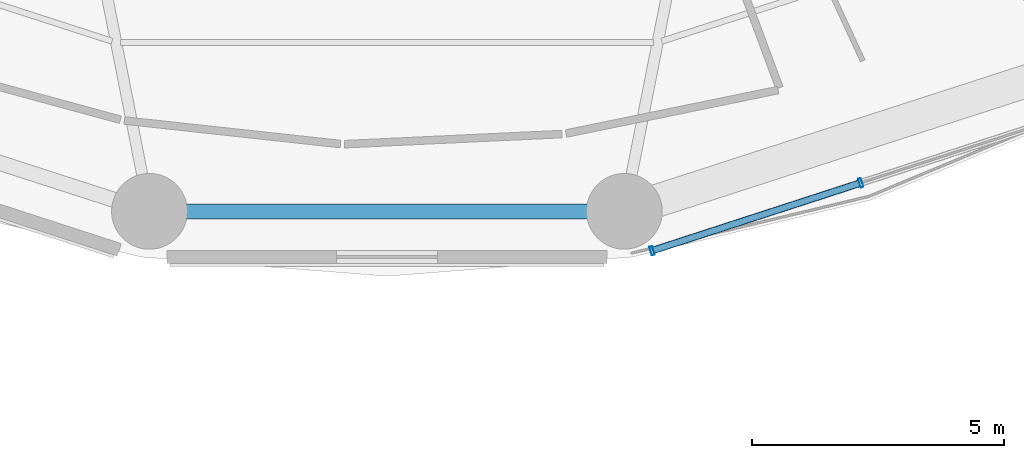
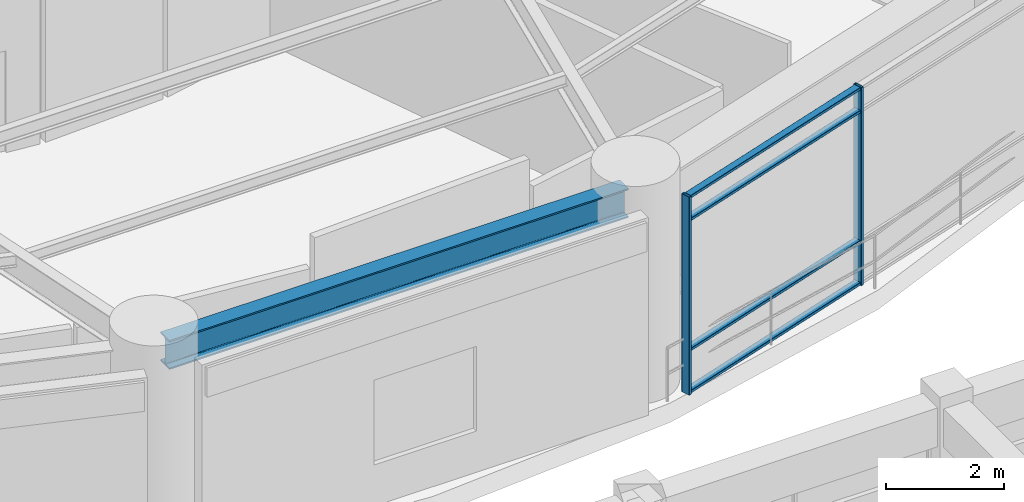
# One storey, part 18 of 52: 6 members, 1 beam, 1 element without a shape of its own.
"""IFC4 building model written with IfcOpenShell, lengths in metres."""

from ifc_helpers import new_model, si_unit, direction, frame, origin, origin_2d, place, context, subcontext, project, spatial, hollow_rectangle, i_section, extrude, material, layer, layer_set, material_profile, profile_set, type_object, element, aggregate, save


model = new_model("IFC4")

# Units and contexts
model_context = context("Model", 3, precision=1e-05, world=origin(), true_north=direction((0.0, 1.0)))
body_context = subcontext(model_context, "Body", "Model", "MODEL_VIEW")
ifc_project = project(units=[si_unit("LENGTHUNIT", "METRE"), si_unit("AREAUNIT", "SQUARE_METRE"), si_unit("VOLUMEUNIT", "CUBIC_METRE"), si_unit("PLANEANGLEUNIT", "RADIAN"), si_unit("MASSUNIT", "GRAM", prefix="KILO")], contexts=[model_context])

# Site, building, storey
site_placement = place(None, origin())
site = spatial("IfcSite", under=ifc_project, at=site_placement, CompositionType="ELEMENT")
building_placement = place(site_placement, origin())
building = spatial("IfcBuilding", under=site, at=building_placement, Name="Kelanora Arch Commons", CompositionType="ELEMENT")
storey_placement = place(building_placement, frame((0.0, 0.0, 13.5)))
storey = spatial("IfcBuildingStorey", under=building, at=storey_placement, Name="L03", CompositionType="ELEMENT", Elevation=13.5)

# Beam
ifc_material_1 = material(Name="Steel S355", Category="steel")
ifc_material_profile_1 = material_profile(ifc_material_1, i_section(OverallWidth=0.300048828125, OverallDepth=0.60009765625, WebThickness=0.015380859375, FlangeThickness=0.030029296875, FilletRadius=0.027099609375, at=origin_2d()), Name="HEB600")
ifc_profile_set_1 = profile_set([ifc_material_profile_1], Name="Steel S355")
beam_type = type_object("IfcBeamType", Name="BM-SPN-Z1", PredefinedType="SPANDREL", material=ifc_profile_set_1)
beam_placement = place(storey_placement, frame((69.517578125, 34.285888671875, 3.800048828125), z_axis=(1.0, 0.0, 0.0), x_axis=(0.0, 1.0, 0.0)))
element("IfcBeam", 1, at=beam_placement, inside=storey, type_object=beam_type, Name="Perimeter Spandrel Beam BS-26 L03", PredefinedType="SPANDREL", context=body_context, shape_type="SweptSolid", body=[
    extrude(i_section(OverallWidth=0.300048828125, OverallDepth=0.60009765625, WebThickness=0.015380859375, FlangeThickness=0.030029296875, FilletRadius=0.027099609375, at=origin_2d()), origin(), (0.0, 0.0, 1.0), 8.96484375),
])

# Curtain wall, members
ifc_material_2 = material(Name="Terracotta ceramic-fritted low-E glass and aluminium", Category="masonry")
ifc_layer = layer(ifc_material_2, 0.2099609375)
ifc_layer_set = layer_set([ifc_layer], Name="Terracotta ceramic-fritted low-E glass and aluminium")
curtain_wall_type = type_object("IfcCurtainWallType", Name="CW-SYS-04", PredefinedType="NOTDEFINED", material=ifc_layer_set)
curtain_wall_placement = place(storey_placement, origin())
curtain_wall = element("IfcCurtainWall", 2, at=curtain_wall_placement, inside=storey, type_object=curtain_wall_type, Name="Unitised Curtain Wall L03-B14", PredefinedType="NOTDEFINED")
ifc_material_3 = material(Name="Powder-coated aluminium terracotta", Category="masonry")
ifc_material_profile_2 = material_profile(ifc_material_3, hollow_rectangle(XDim=0.179931640625, YDim=0.06005859375, WallThickness=0.0048828125, InnerFilletRadius=0.0048828125, OuterFilletRadius=0.010009765625, at=origin_2d()), Name="CWM180x60")
ifc_profile_set_2 = profile_set([ifc_material_profile_2], Name="Powder-coated aluminium terracotta")
member_type_1 = type_object("IfcMemberType", Name="CWM-HVY", PredefinedType="MULLION", material=ifc_profile_set_2)
member_1_placement = place(storey_placement, frame((79.25146484375, 33.50634765625, 0.0), z_axis=(0.0, 0.0, 1.0), x_axis=(-0.309069531911, 0.951039444211, 0.0)))
member_1 = element("IfcMember", 3, at=member_1_placement, type_object=member_type_1, Name="CW-04 mullion 1", PredefinedType="MULLION", context=body_context, shape_type="SweptSolid", body=[
    extrude(hollow_rectangle(XDim=0.179931640625, YDim=0.06005859375, WallThickness=0.0048828125, InnerFilletRadius=0.0048828125, OuterFilletRadius=0.010009765625, at=origin_2d()), origin(), (0.0, 0.0, 1.0), 4.0849609375),
])
member_2_placement = place(storey_placement, frame((83.38330078125, 34.84912109375, 0.0), z_axis=(0.0, 0.0, 1.0), x_axis=(-0.309069531911, 0.951039444211, 0.0)))
member_2 = element("IfcMember", 4, at=member_2_placement, type_object=member_type_1, Name="CW-04 mullion 2", PredefinedType="MULLION", context=body_context, shape_type="SweptSolid", body=[
    extrude(hollow_rectangle(XDim=0.179931640625, YDim=0.06005859375, WallThickness=0.0048828125, InnerFilletRadius=0.0048828125, OuterFilletRadius=0.010009765625, at=origin_2d()), origin(), (0.0, 0.0, 1.0), 4.0849609375),
])
ifc_material_profile_3 = material_profile(ifc_material_3, hollow_rectangle(XDim=0.139892578125, YDim=0.06005859375, WallThickness=0.0048828125, InnerFilletRadius=0.0048828125, OuterFilletRadius=0.010009765625, at=origin_2d()), Name="CWT140x60")
ifc_profile_set_3 = profile_set([ifc_material_profile_3], Name="Powder-coated aluminium terracotta")
member_type_2 = type_object("IfcMemberType", Name="CWT-HVY", PredefinedType="USERDEFINED", material=ifc_profile_set_3)
member_3_placement = place(storey_placement, frame((79.280029296875, 33.515625, 0.030029296875), z_axis=(0.951038256166, 0.309073187624, 0.0), x_axis=(-0.309073187624, 0.951038256166, 0.0)))
member_3 = element("IfcMember", 5, at=member_3_placement, type_object=member_type_2, Name="CW-04 transom 1.1", ObjectType="TRANSOM", PredefinedType="USERDEFINED", context=body_context, shape_type="SweptSolid", body=[
    extrude(hollow_rectangle(XDim=0.139892578125, YDim=0.06005859375, WallThickness=0.0048828125, InnerFilletRadius=0.0048828125, OuterFilletRadius=0.010009765625, at=origin_2d()), origin(), (0.0, 0.0, 1.0), 4.284423828125),
])
member_4_placement = place(storey_placement, frame((79.280029296875, 33.515625, 0.89990234375), z_axis=(0.951038256166, 0.309073187624, 0.0), x_axis=(-0.309073187624, 0.951038256166, 0.0)))
member_4 = element("IfcMember", 6, at=member_4_placement, type_object=member_type_2, Name="CW-04 transom 1.2", ObjectType="TRANSOM", PredefinedType="USERDEFINED", context=body_context, shape_type="SweptSolid", body=[
    extrude(hollow_rectangle(XDim=0.139892578125, YDim=0.06005859375, WallThickness=0.0048828125, InnerFilletRadius=0.0048828125, OuterFilletRadius=0.010009765625, at=origin_2d()), origin(), (0.0, 0.0, 1.0), 4.284423828125),
])
member_5_placement = place(storey_placement, frame((79.280029296875, 33.515625, 3.5849609375), z_axis=(0.951038256166, 0.309073187624, 0.0), x_axis=(-0.309073187624, 0.951038256166, 0.0)))
member_5 = element("IfcMember", 7, at=member_5_placement, type_object=member_type_2, Name="CW-04 transom 1.3", ObjectType="TRANSOM", PredefinedType="USERDEFINED", context=body_context, shape_type="SweptSolid", body=[
    extrude(hollow_rectangle(XDim=0.139892578125, YDim=0.06005859375, WallThickness=0.0048828125, InnerFilletRadius=0.0048828125, OuterFilletRadius=0.010009765625, at=origin_2d()), origin(), (0.0, 0.0, 1.0), 4.284423828125),
])
member_6_placement = place(storey_placement, frame((79.280029296875, 33.515625, 4.054931640625), z_axis=(0.951038256166, 0.309073187624, 0.0), x_axis=(-0.309073187624, 0.951038256166, 0.0)))
member_6 = element("IfcMember", 8, at=member_6_placement, type_object=member_type_2, Name="CW-04 transom 1.4", ObjectType="TRANSOM", PredefinedType="USERDEFINED", context=body_context, shape_type="SweptSolid", body=[
    extrude(hollow_rectangle(XDim=0.139892578125, YDim=0.06005859375, WallThickness=0.0048828125, InnerFilletRadius=0.0048828125, OuterFilletRadius=0.010009765625, at=origin_2d()), origin(), (0.0, 0.0, 1.0), 4.284423828125),
])
aggregate(curtain_wall, [member_1, member_2, member_3, member_4, member_5, member_6])

save(model, "model.ifc")
